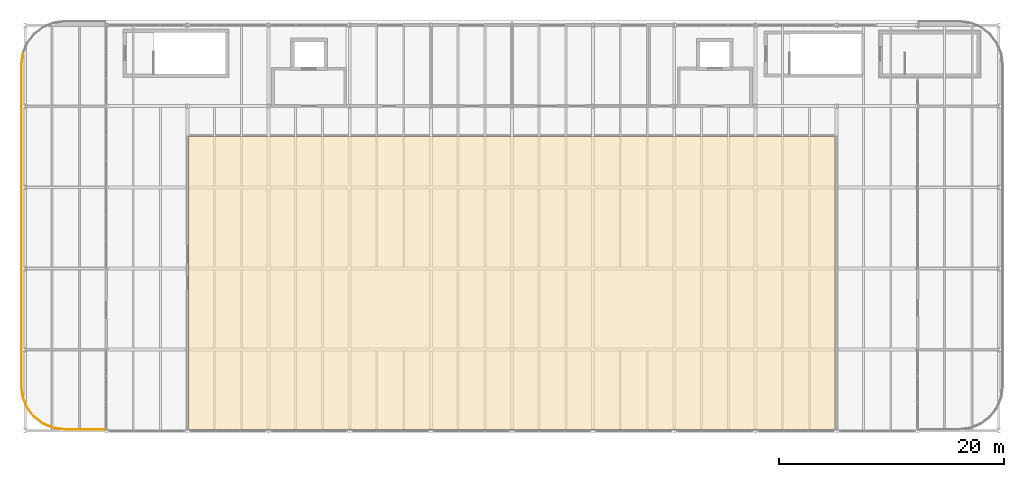
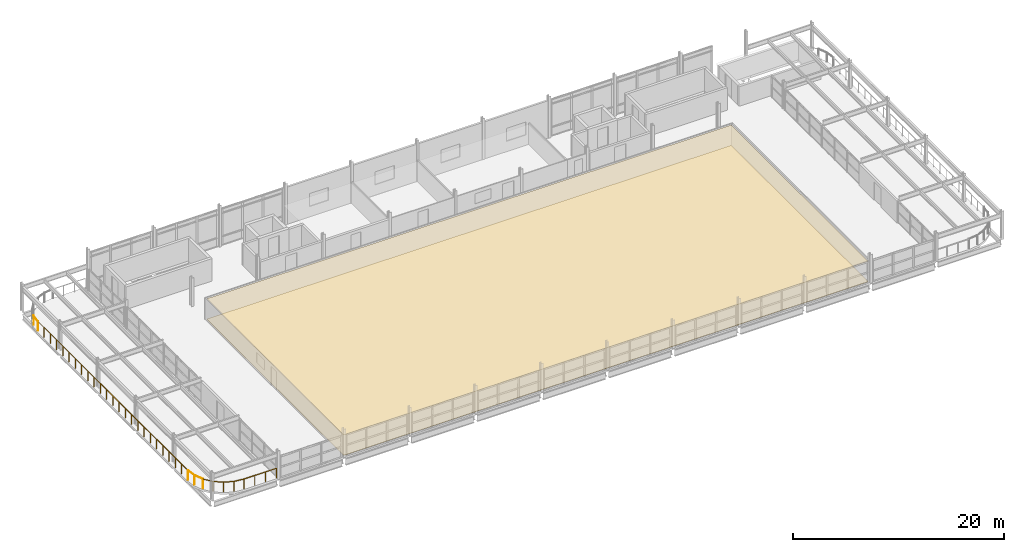
# One storey, part 23 of 25: 9 railings, 2 coverings.
"""IFC4 building model written with IfcOpenShell, lengths in metres."""

from ifc_helpers import new_model, si_unit, direction, frame, origin, origin_2d, place, context, subcontext, project, spatial, polyline, circle, outline, extrude, material, layer, layer_set, type_object, element, save


model = new_model("IFC4")

# Units and contexts
model_context = context("Model", 3, precision=1e-05, world=origin(), true_north=direction((0.0, 1.0)))
body_context = subcontext(model_context, "Body", "Model", "MODEL_VIEW")
ifc_project = project(units=[si_unit("LENGTHUNIT", "METRE"), si_unit("AREAUNIT", "SQUARE_METRE"), si_unit("VOLUMEUNIT", "CUBIC_METRE"), si_unit("PLANEANGLEUNIT", "RADIAN"), si_unit("MASSUNIT", "GRAM", prefix="KILO")], contexts=[model_context])

# Site, building, storey
site_placement = place(None, origin())
site = spatial("IfcSite", under=ifc_project, at=site_placement, CompositionType="ELEMENT")
building_placement = place(site_placement, origin())
building = spatial("IfcBuilding", under=site, at=building_placement, Name="Vaelcorin Mobility Hub", CompositionType="ELEMENT")
storey_placement = place(building_placement, frame((0.0, 0.0, 21.0)))
storey = spatial("IfcBuildingStorey", under=building, at=storey_placement, Name="L05", CompositionType="ELEMENT", Elevation=21.0)

# Coverings
ifc_material_1 = material(Name="Perforated acoustic mineral-fibre ceiling tile")
ifc_layer_1 = layer(ifc_material_1, 0.030029296875)
ifc_layer_set_1 = layer_set([ifc_layer_1], Name="Perforated acoustic mineral-fibre ceiling tile")
covering_type_1 = type_object("IfcCoveringType", Name="COV-CEIL-3", PredefinedType="CEILING", material=ifc_layer_set_1)
covering_1_placement = place(storey_placement, frame((0.0, 0.0, 2.35009765625)))
element("IfcCovering", 1, at=covering_1_placement, inside=storey, type_object=covering_type_1, Name="Multi-Sport Court Hall Acoustic Ceiling", PredefinedType="CEILING", context=body_context, shape_type="SweptSolid", body=[
    extrude(outline(polyline([(50.5400390625, 84.139892578125), (50.533935546875, 84.139892578125), (50.528076171875, 84.14111328125), (50.52294921875, 84.14306640625), (50.51708984375, 84.14501953125), (50.511962890625, 84.14697265625), (50.507080078125, 84.14990234375), (50.501953125, 84.154052734375), (50.498046875, 84.157958984375), (50.493896484375, 84.162109375), (50.489990234375, 84.1669921875), (50.487060546875, 84.172119140625), (50.485107421875, 84.177001953125), (50.48291015625, 84.18310546875), (50.48095703125, 84.18798828125), (50.47998046875, 84.194091796875), (50.47998046875, 84.199951171875), (50.47998046875, 110.06005859375), (50.47998046875, 110.06591796875), (50.48095703125, 110.072021484375), (50.48291015625, 110.076904296875), (50.485107421875, 110.0830078125), (50.487060546875, 110.087890625), (50.489990234375, 110.093017578125), (50.493896484375, 110.097900390625), (50.498046875, 110.10205078125), (50.501953125, 110.10595703125), (50.507080078125, 110.110107421875), (50.511962890625, 110.113037109375), (50.51708984375, 110.114990234375), (50.52294921875, 110.116943359375), (50.528076171875, 110.118896484375), (50.533935546875, 110.1201171875), (50.5400390625, 110.1201171875), (107.800048828125, 110.1201171875), (107.805908203125, 110.1201171875), (107.81201171875, 110.118896484375), (107.81689453125, 110.116943359375), (107.822998046875, 110.114990234375), (107.827880859375, 110.113037109375), (107.8330078125, 110.110107421875), (107.837890625, 110.10595703125), (107.842041015625, 110.10205078125), (107.845947265625, 110.097900390625), (107.85009765625, 110.093017578125), (107.85302734375, 110.087890625), (107.85498046875, 110.0830078125), (107.85693359375, 110.076904296875), (107.85888671875, 110.072021484375), (107.860107421875, 110.06591796875), (107.860107421875, 110.06005859375), (107.860107421875, 84.199951171875), (107.860107421875, 84.194091796875), (107.85888671875, 84.18798828125), (107.85693359375, 84.18310546875), (107.85498046875, 84.177001953125), (107.85302734375, 84.172119140625), (107.85009765625, 84.1669921875), (107.845947265625, 84.162109375), (107.842041015625, 84.157958984375), (107.837890625, 84.154052734375), (107.8330078125, 84.14990234375), (107.827880859375, 84.14697265625), (107.822998046875, 84.14501953125), (107.81689453125, 84.14306640625), (107.81201171875, 84.14111328125), (107.805908203125, 84.139892578125), (107.800048828125, 84.139892578125), (50.5400390625, 84.139892578125)])), origin(), (0.0, 0.0, 1.0), 0.02978515625),
])
ifc_material_2 = material(Name="Sprung maple sports court flooring")
ifc_layer_2 = layer(ifc_material_2, 0.033935546875)
ifc_layer_set_2 = layer_set([ifc_layer_2], Name="Sprung maple sports court flooring")
covering_type_2 = type_object("IfcCoveringType", Name="COV-FLR-3", PredefinedType="FLOORING", material=ifc_layer_set_2)
covering_2_placement = place(storey_placement, origin())
element("IfcCovering", 2, at=covering_2_placement, inside=storey, type_object=covering_type_2, Name="Multi-Sport Court Hall Finish Flooring", PredefinedType="FLOORING", context=body_context, shape_type="SweptSolid", body=[
    extrude(outline(polyline([(50.5400390625, 84.139892578125), (50.533935546875, 84.139892578125), (50.528076171875, 84.14111328125), (50.52294921875, 84.14306640625), (50.51708984375, 84.14501953125), (50.511962890625, 84.14697265625), (50.507080078125, 84.14990234375), (50.501953125, 84.154052734375), (50.498046875, 84.157958984375), (50.493896484375, 84.162109375), (50.489990234375, 84.1669921875), (50.487060546875, 84.172119140625), (50.485107421875, 84.177001953125), (50.48291015625, 84.18310546875), (50.48095703125, 84.18798828125), (50.47998046875, 84.194091796875), (50.47998046875, 84.199951171875), (50.47998046875, 110.06005859375), (50.47998046875, 110.06591796875), (50.48095703125, 110.072021484375), (50.48291015625, 110.076904296875), (50.485107421875, 110.0830078125), (50.487060546875, 110.087890625), (50.489990234375, 110.093017578125), (50.493896484375, 110.097900390625), (50.498046875, 110.10205078125), (50.501953125, 110.10595703125), (50.507080078125, 110.110107421875), (50.511962890625, 110.113037109375), (50.51708984375, 110.114990234375), (50.52294921875, 110.116943359375), (50.528076171875, 110.118896484375), (50.533935546875, 110.1201171875), (50.5400390625, 110.1201171875), (107.800048828125, 110.1201171875), (107.805908203125, 110.1201171875), (107.81201171875, 110.118896484375), (107.81689453125, 110.116943359375), (107.822998046875, 110.114990234375), (107.827880859375, 110.113037109375), (107.8330078125, 110.110107421875), (107.837890625, 110.10595703125), (107.842041015625, 110.10205078125), (107.845947265625, 110.097900390625), (107.85009765625, 110.093017578125), (107.85302734375, 110.087890625), (107.85498046875, 110.0830078125), (107.85693359375, 110.076904296875), (107.85888671875, 110.072021484375), (107.860107421875, 110.06591796875), (107.860107421875, 110.06005859375), (107.860107421875, 84.199951171875), (107.860107421875, 84.194091796875), (107.85888671875, 84.18798828125), (107.85693359375, 84.18310546875), (107.85498046875, 84.177001953125), (107.85302734375, 84.172119140625), (107.85009765625, 84.1669921875), (107.845947265625, 84.162109375), (107.842041015625, 84.157958984375), (107.837890625, 84.154052734375), (107.8330078125, 84.14990234375), (107.827880859375, 84.14697265625), (107.822998046875, 84.14501953125), (107.81689453125, 84.14306640625), (107.81201171875, 84.14111328125), (107.805908203125, 84.139892578125), (107.800048828125, 84.139892578125), (50.5400390625, 84.139892578125)])), origin(), (0.0, 0.0, 1.0), 0.033935546875),
])

# Railings
ifc_material_3 = material(Name="Anodised aluminium 6063-T6", Category="aluminium")
ifc_layer_3 = layer(ifc_material_3, 0.070068359375)
ifc_layer_set_3 = layer_set([ifc_layer_3], Name="Anodised aluminium 6063-T6")
railing_type = type_object("IfcRailingType", Name="RL-GUARD-1150", PredefinedType="BALUSTRADE", material=ifc_layer_set_3)
railing_1_placement = place(storey_placement, frame((43.10009765625, 84.1201171875, 0.0)))
element("IfcRailing", 3, at=railing_1_placement, inside=storey, type_object=railing_type, Name="L05 Perimeter Guard GR-L05-OUTW-01", PredefinedType="BALUSTRADE", context=body_context, shape_type="SweptSolid", body=[
    extrude(circle(Radius=0.02392578125, at=origin_2d()), frame((0.0, 0.0, 1.1259765625), z_axis=(-1.0, 0.0, 0.0), x_axis=(0.0, -1.0, 0.0)), (0.0, 0.0, 1.0), 3.550048828125),
    extrude(circle(Radius=0.02099609375, at=origin_2d()), origin(), (0.0, 0.0, 1.0), 1.101806640625),
    extrude(circle(Radius=0.02099609375, at=origin_2d()), frame((-1.183349609375, 0.0, 0.0)), (0.0, 0.0, 1.0), 1.101806640625),
    extrude(circle(Radius=0.02099609375, at=origin_2d()), frame((-2.36669921875, 0.0, 0.0)), (0.0, 0.0, 1.0), 1.101806640625),
    extrude(circle(Radius=0.02099609375, at=origin_2d()), frame((-3.550048828125, 0.0, 0.0)), (0.0, 0.0, 1.0), 1.101806640625),
])
railing_2_placement = place(storey_placement, frame((39.550048828125, 84.1201171875, 0.0)))
element("IfcRailing", 4, at=railing_2_placement, inside=storey, type_object=railing_type, Name="L05 Perimeter Guard GR-L05-OUTW-02", PredefinedType="BALUSTRADE", context=body_context, shape_type="SweptSolid", body=[
    extrude(circle(Radius=0.02392578125, at=origin_2d()), frame((0.0, 0.0, 1.1259765625), z_axis=(-0.991491178312, 0.130173896496, 0.0), x_axis=(-0.130173896496, -0.991491178312, 0.0)), (0.0, 0.0, 1.0), 1.0126953125),
    extrude(circle(Radius=0.02099609375, at=origin_2d()), origin(), (0.0, 0.0, 1.0), 1.101806640625),
    extrude(circle(Radius=0.02099609375, at=origin_2d()), frame((-1.004150390625, 0.1318359375, 0.0)), (0.0, 0.0, 1.0), 1.101806640625),
])
railing_3_placement = place(storey_placement, frame((38.5458984375, 84.251953125, 0.0)))
element("IfcRailing", 5, at=railing_3_placement, inside=storey, type_object=railing_type, Name="L05 Perimeter Guard GR-L05-OUTW-03", PredefinedType="BALUSTRADE", context=body_context, shape_type="SweptSolid", body=[
    extrude(circle(Radius=0.02392578125, at=origin_2d()), frame((0.0, 0.0, 1.1259765625), z_axis=(-0.923767068336, 0.382954832138, 0.0), x_axis=(-0.382954832138, -0.923767068336, 0.0)), (0.0, 0.0, 1.0), 1.012939453125),
    extrude(circle(Radius=0.02099609375, at=origin_2d()), origin(), (0.0, 0.0, 1.0), 1.101806640625),
    extrude(circle(Radius=0.02099609375, at=origin_2d()), frame((-0.935791015625, 0.387939453125, 0.0)), (0.0, 0.0, 1.0), 1.101806640625),
])
railing_4_placement = place(storey_placement, frame((37.610107421875, 84.639892578125, 0.0)))
element("IfcRailing", 6, at=railing_4_placement, inside=storey, type_object=railing_type, Name="L05 Perimeter Guard GR-L05-OUTW-04", PredefinedType="BALUSTRADE", context=body_context, shape_type="SweptSolid", body=[
    extrude(circle(Radius=0.02392578125, at=origin_2d()), frame((0.0, 0.0, 1.1259765625), z_axis=(-0.793769230777, 0.608219046291, 0.0), x_axis=(-0.608219046291, -0.793769230777, 0.0)), (0.0, 0.0, 1.0), 1.01318359375),
    extrude(circle(Radius=0.02099609375, at=origin_2d()), origin(), (0.0, 0.0, 1.0), 1.101806640625),
    extrude(circle(Radius=0.02099609375, at=origin_2d()), frame((-0.80419921875, 0.6162109375, 0.0)), (0.0, 0.0, 1.0), 1.101806640625),
])
railing_5_placement = place(storey_placement, frame((36.805908203125, 85.256103515625, 0.0)))
element("IfcRailing", 7, at=railing_5_placement, inside=storey, type_object=railing_type, Name="L05 Perimeter Guard GR-L05-OUTW-05", PredefinedType="BALUSTRADE", context=body_context, shape_type="SweptSolid", body=[
    extrude(circle(Radius=0.02392578125, at=origin_2d()), frame((0.0, 0.0, 1.1259765625), z_axis=(-0.608183542028, 0.793796434363, 0.0), x_axis=(-0.793796434363, -0.608183542028, 0.0)), (0.0, 0.0, 1.0), 1.0126953125),
    extrude(circle(Radius=0.02099609375, at=origin_2d()), origin(), (0.0, 0.0, 1.0), 1.101806640625),
    extrude(circle(Radius=0.02099609375, at=origin_2d()), frame((-0.615966796875, 0.803955078125, 0.0)), (0.0, 0.0, 1.0), 1.101806640625),
])
railing_6_placement = place(storey_placement, frame((36.18994140625, 86.06005859375, 0.0)))
element("IfcRailing", 8, at=railing_6_placement, inside=storey, type_object=railing_type, Name="L05 Perimeter Guard GR-L05-OUTW-06", PredefinedType="BALUSTRADE", context=body_context, shape_type="SweptSolid", body=[
    extrude(circle(Radius=0.02392578125, at=origin_2d()), frame((0.0, 0.0, 1.1259765625), z_axis=(-0.382869591771, 0.923802400786, 0.0), x_axis=(-0.923802400786, -0.382869591771, 0.0)), (0.0, 0.0, 1.0), 1.01318359375),
    extrude(circle(Radius=0.02099609375, at=origin_2d()), origin(), (0.0, 0.0, 1.0), 1.101806640625),
    extrude(circle(Radius=0.02099609375, at=origin_2d()), frame((-0.387939453125, 0.93603515625, 0.0)), (0.0, 0.0, 1.0), 1.101806640625),
])
railing_7_placement = place(storey_placement, frame((35.802001953125, 86.99609375, 0.0)))
element("IfcRailing", 9, at=railing_7_placement, inside=storey, type_object=railing_type, Name="L05 Perimeter Guard GR-L05-OUTW-07", PredefinedType="BALUSTRADE", context=body_context, shape_type="SweptSolid", body=[
    extrude(circle(Radius=0.02392578125, at=origin_2d()), frame((0.0, 0.0, 1.1259765625), z_axis=(-0.130442038378, 0.991455936804, 0.0), x_axis=(-0.991455936804, -0.130442038378, 0.0)), (0.0, 0.0, 1.0), 1.012451171875),
    extrude(circle(Radius=0.02099609375, at=origin_2d()), origin(), (0.0, 0.0, 1.0), 1.101806640625),
    extrude(circle(Radius=0.02099609375, at=origin_2d()), frame((-0.132080078125, 1.00390625, 0.0)), (0.0, 0.0, 1.0), 1.101806640625),
])
railing_8_placement = place(storey_placement, frame((35.669921875, 88.0, 0.0)))
element("IfcRailing", 10, at=railing_8_placement, inside=storey, type_object=railing_type, Name="L05 Perimeter Guard GR-L05-OUTW-08", PredefinedType="BALUSTRADE", context=body_context, shape_type="SweptSolid", body=[
    extrude(circle(Radius=0.02392578125, at=origin_2d()), frame((0.0, 0.0, 1.1259765625), z_axis=(0.0, 1.0, 0.0), x_axis=(-1.0, 0.0, 0.0)), (0.0, 0.0, 1.0), 28.449951171875),
    extrude(circle(Radius=0.02099609375, at=origin_2d()), origin(), (0.0, 0.0, 1.0), 1.101806640625),
    extrude(circle(Radius=0.02099609375, at=origin_2d()), frame((0.0, 1.185302734375, 0.0)), (0.0, 0.0, 1.0), 1.101806640625),
    extrude(circle(Radius=0.02099609375, at=origin_2d()), frame((0.0, 2.370849609375, 0.0)), (0.0, 0.0, 1.0), 1.101806640625),
    extrude(circle(Radius=0.02099609375, at=origin_2d()), frame((0.0, 3.55615234375, 0.0)), (0.0, 0.0, 1.0), 1.101806640625),
    extrude(circle(Radius=0.02099609375, at=origin_2d()), frame((0.0, 4.74169921875, 0.0)), (0.0, 0.0, 1.0), 1.101806640625),
    extrude(circle(Radius=0.02099609375, at=origin_2d()), frame((0.0, 5.927001953125, 0.0)), (0.0, 0.0, 1.0), 1.101806640625),
    extrude(circle(Radius=0.02099609375, at=origin_2d()), frame((0.0, 7.112548828125, 0.0)), (0.0, 0.0, 1.0), 1.101806640625),
    extrude(circle(Radius=0.02099609375, at=origin_2d()), frame((0.0, 8.2978515625, 0.0)), (0.0, 0.0, 1.0), 1.101806640625),
    extrude(circle(Radius=0.02099609375, at=origin_2d()), frame((0.0, 9.4833984375, 0.0)), (0.0, 0.0, 1.0), 1.101806640625),
    extrude(circle(Radius=0.02099609375, at=origin_2d()), frame((0.0, 10.668701171875, 0.0)), (0.0, 0.0, 1.0), 1.101806640625),
    extrude(circle(Radius=0.02099609375, at=origin_2d()), frame((0.0, 11.854248046875, 0.0)), (0.0, 0.0, 1.0), 1.101806640625),
    extrude(circle(Radius=0.02099609375, at=origin_2d()), frame((0.0, 13.03955078125, 0.0)), (0.0, 0.0, 1.0), 1.101806640625),
    extrude(circle(Radius=0.02099609375, at=origin_2d()), frame((0.0, 14.22509765625, 0.0)), (0.0, 0.0, 1.0), 1.101806640625),
    extrude(circle(Radius=0.02099609375, at=origin_2d()), frame((0.0, 15.410400390625, 0.0)), (0.0, 0.0, 1.0), 1.101806640625),
    extrude(circle(Radius=0.02099609375, at=origin_2d()), frame((0.0, 16.595703125, 0.0)), (0.0, 0.0, 1.0), 1.101806640625),
    extrude(circle(Radius=0.02099609375, at=origin_2d()), frame((0.0, 17.78125, 0.0)), (0.0, 0.0, 1.0), 1.101806640625),
    extrude(circle(Radius=0.02099609375, at=origin_2d()), frame((0.0, 18.966552734375, 0.0)), (0.0, 0.0, 1.0), 1.101806640625),
    extrude(circle(Radius=0.02099609375, at=origin_2d()), frame((0.0, 20.152099609375, 0.0)), (0.0, 0.0, 1.0), 1.101806640625),
    extrude(circle(Radius=0.02099609375, at=origin_2d()), frame((0.0, 21.33740234375, 0.0)), (0.0, 0.0, 1.0), 1.101806640625),
    extrude(circle(Radius=0.02099609375, at=origin_2d()), frame((0.0, 22.52294921875, 0.0)), (0.0, 0.0, 1.0), 1.101806640625),
    extrude(circle(Radius=0.02099609375, at=origin_2d()), frame((0.0, 23.708251953125, 0.0)), (0.0, 0.0, 1.0), 1.101806640625),
    extrude(circle(Radius=0.02099609375, at=origin_2d()), frame((0.0, 24.893798828125, 0.0)), (0.0, 0.0, 1.0), 1.101806640625),
    extrude(circle(Radius=0.02099609375, at=origin_2d()), frame((0.0, 26.0791015625, 0.0)), (0.0, 0.0, 1.0), 1.101806640625),
    extrude(circle(Radius=0.02099609375, at=origin_2d()), frame((0.0, 27.2646484375, 0.0)), (0.0, 0.0, 1.0), 1.101806640625),
    extrude(circle(Radius=0.02099609375, at=origin_2d()), frame((0.0, 28.449951171875, 0.0)), (0.0, 0.0, 1.0), 1.101806640625),
])
railing_9_placement = place(storey_placement, frame((35.669921875, 116.449951171875, 0.0)))
element("IfcRailing", 11, at=railing_9_placement, inside=storey, type_object=railing_type, Name="L05 Perimeter Guard GR-L05-OUTW-09", PredefinedType="BALUSTRADE", context=body_context, shape_type="SweptSolid", body=[
    extrude(circle(Radius=0.02392578125, at=origin_2d()), frame((0.0, 0.0, 1.1259765625), z_axis=(0.130410863239, 0.991460037898, 0.0), x_axis=(-0.991460037898, 0.130410863239, 0.0)), (0.0, 0.0, 1.0), 1.0126953125),
    extrude(circle(Radius=0.02099609375, at=origin_2d()), origin(), (0.0, 0.0, 1.0), 1.101806640625),
    extrude(circle(Radius=0.02099609375, at=origin_2d()), frame((0.132080078125, 1.004150390625, 0.0)), (0.0, 0.0, 1.0), 1.101806640625),
])

save(model, "model.ifc")
